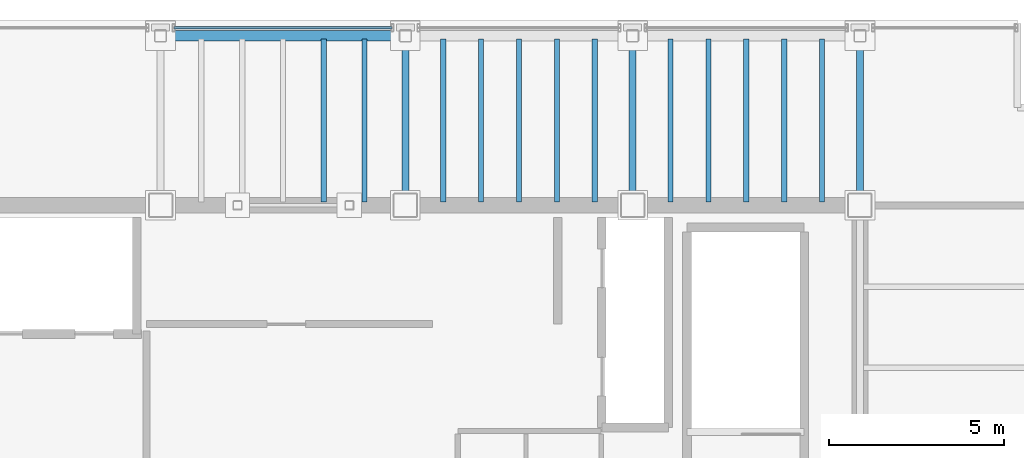
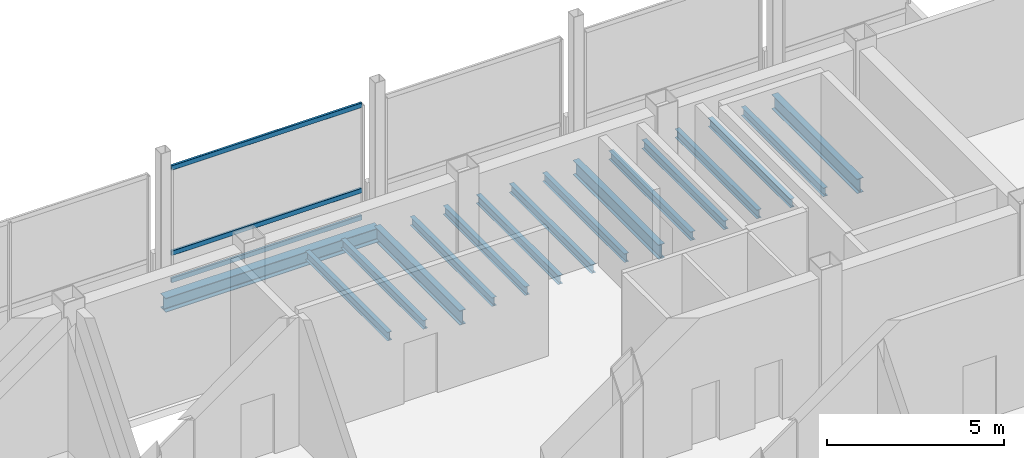
# One storey, part 13 of 20: 16 beams, 3 members, 1 element without a shape of its own.
"""IFC4 building model written with IfcOpenShell, lengths in metres."""

from ifc_helpers import new_model, si_unit, direction, frame, origin, origin_2d, place, context, subcontext, project, spatial, hollow_rectangle, i_section, extrude, material, material_profile, profile_set, type_object, element, aggregate, save


model = new_model("IFC4")

# Units and contexts
model_context = context("Model", 3, precision=1e-05, world=origin(), true_north=direction((0.0, 1.0)))
body_context = subcontext(model_context, "Body", "Model", "MODEL_VIEW")
ifc_project = project(units=[si_unit("LENGTHUNIT", "METRE"), si_unit("AREAUNIT", "SQUARE_METRE"), si_unit("VOLUMEUNIT", "CUBIC_METRE"), si_unit("PLANEANGLEUNIT", "RADIAN"), si_unit("MASSUNIT", "GRAM", prefix="KILO")], contexts=[model_context])

# Site, building, storey
site_placement = place(None, origin())
site = spatial("IfcSite", under=ifc_project, at=site_placement, CompositionType="ELEMENT")
building_placement = place(site_placement, origin())
building = spatial("IfcBuilding", under=site, at=building_placement, Name="Noeulbin Bourse Tower", CompositionType="ELEMENT")
storey_placement = place(building_placement, frame((0.0, 0.0, 312.60009765625)))
storey = spatial("IfcBuildingStorey", under=building, at=storey_placement, Name="L77", CompositionType="ELEMENT", Elevation=312.60009765625)

# Beams
ifc_material_1 = material(Name="Steel S355", Category="steel")
ifc_material_profile_1 = material_profile(ifc_material_1, i_section(OverallWidth=0.199951171875, OverallDepth=0.5, WebThickness=0.010009765625, FlangeThickness=0.01611328125, FilletRadius=0.02001953125, at=origin_2d()), Name="H-500x200x10x16", Category="LoadBearing")
ifc_profile_set_1 = profile_set([ifc_material_profile_1], Name="Steel S355")
beam_type_1 = type_object("IfcBeamType", Name="BM-GRD-500", PredefinedType="USERDEFINED", material=ifc_profile_set_1)
for number, where, z_axis, x_axis, name in (
    (1, (31.0, 38.300048828125, -0.510009765625), (0.0, 1.0, 0.0), (-1.0, 0.0, 0.0), "Tower Primary Girder NS L77-3.3"),
    (2, (37.5, 38.300048828125, -0.510009765625), (0.0, 1.0, 0.0), (-1.0, 0.0, 0.0), "Tower Primary Girder NS L77-4.3"),
    (3, (44.0, 38.300048828125, -0.510009765625), (0.0, 1.0, 0.0), (-1.0, 0.0, 0.0), "Tower Primary Girder NS L77-5.3"),
):
    element("IfcBeam", number, at=place(storey_placement, frame(where, z_axis=z_axis, x_axis=x_axis)), inside=storey, type_object=beam_type_1, Name=name, ObjectType="GIRDER", PredefinedType="USERDEFINED", context=body_context, shape_type="SweptSolid", body=[
        extrude(i_section(OverallWidth=0.199951171875, OverallDepth=0.5, WebThickness=0.010009765625, FlangeThickness=0.01611328125, FilletRadius=0.02001953125, at=origin_2d()), origin(), (0.0, 0.0, 1.0), 4.849853515625),
    ])
ifc_material_profile_2 = material_profile(ifc_material_1, i_section(OverallWidth=0.14990234375, OverallDepth=0.300048828125, WebThickness=0.006591796875, FlangeThickness=0.009033203125, FilletRadius=0.012939453125, at=origin_2d()), Name="H-300x150x6.5x9", Category="LoadBearing")
ifc_profile_set_2 = profile_set([ifc_material_profile_2], Name="Steel S355")
beam_type_2 = type_object("IfcBeamType", Name="BM-JST-300", PredefinedType="JOIST", material=ifc_profile_set_2)
for number, where, z_axis, x_axis, name in (
    (4, (28.666748046875, 38.39990234375, -0.41015625), (0.0, 1.0, 0.0), (-1.0, 0.0, 0.0), "Tower Composite Joist L77-08"),
    (5, (29.833251953125, 38.39990234375, -0.41015625), (0.0, 1.0, 0.0), (-1.0, 0.0, 0.0), "Tower Composite Joist L77-10"),
    (6, (32.083251953125, 38.39990234375, -0.41015625), (0.0, 1.0, 0.0), (-1.0, 0.0, 0.0), "Tower Composite Joist L77-12"),
    (7, (33.166748046875, 38.39990234375, -0.41015625), (0.0, 1.0, 0.0), (-1.0, 0.0, 0.0), "Tower Composite Joist L77-14"),
    (8, (34.25, 38.39990234375, -0.41015625), (0.0, 1.0, 0.0), (-1.0, 0.0, 0.0), "Tower Composite Joist L77-16"),
    (9, (35.333251953125, 38.39990234375, -0.41015625), (0.0, 1.0, 0.0), (-1.0, 0.0, 0.0), "Tower Composite Joist L77-18"),
    (10, (36.416748046875, 38.39990234375, -0.41015625), (0.0, 1.0, 0.0), (-1.0, 0.0, 0.0), "Tower Composite Joist L77-20"),
    (11, (38.583251953125, 38.39990234375, -0.41015625), (0.0, 1.0, 0.0), (-1.0, 0.0, 0.0), "Tower Composite Joist L77-22"),
    (12, (39.666748046875, 38.39990234375, -0.41015625), (0.0, 1.0, 0.0), (-1.0, 0.0, 0.0), "Tower Composite Joist L77-24"),
    (13, (40.75, 38.39990234375, -0.41015625), (0.0, 1.0, 0.0), (-1.0, 0.0, 0.0), "Tower Composite Joist L77-26"),
    (14, (41.833251953125, 38.39990234375, -0.41015625), (0.0, 1.0, 0.0), (-1.0, 0.0, 0.0), "Tower Composite Joist L77-28"),
    (15, (42.916748046875, 38.39990234375, -0.41015625), (0.0, 1.0, 0.0), (-1.0, 0.0, 0.0), "Tower Composite Joist L77-30"),
):
    element("IfcBeam", number, at=place(storey_placement, frame(where, z_axis=z_axis, x_axis=x_axis)), inside=storey, type_object=beam_type_2, Name=name, PredefinedType="JOIST", context=body_context, shape_type="SweptSolid", body=[
        extrude(i_section(OverallWidth=0.14990234375, OverallDepth=0.300048828125, WebThickness=0.006591796875, FlangeThickness=0.009033203125, FilletRadius=0.012939453125, at=origin_2d()), origin(), (0.0, 0.0, 1.0), 4.650146484375),
    ])
ifc_material_profile_3 = material_profile(ifc_material_1, i_section(OverallWidth=0.300048828125, OverallDepth=0.488037109375, WebThickness=0.010986328125, FlangeThickness=0.01806640625, FilletRadius=0.02197265625, at=origin_2d()), Name="H-488x300x11x18", Category="LoadBearing")
ifc_profile_set_3 = profile_set([ifc_material_profile_3], Name="Steel S355")
beam_type_3 = type_object("IfcBeamType", Name="BM-SPN-488", PredefinedType="SPANDREL", material=ifc_profile_set_3)
beam_placement = place(storey_placement, frame((24.0, 43.14990234375, -0.504150390625), z_axis=(1.0, 0.0, 0.0), x_axis=(0.0, 1.0, 0.0)))
element("IfcBeam", 16, at=beam_placement, inside=storey, type_object=beam_type_3, Name="North Spandrel L77-1", PredefinedType="SPANDREL", context=body_context, shape_type="SweptSolid", body=[
    extrude(i_section(OverallWidth=0.300048828125, OverallDepth=0.488037109375, WebThickness=0.010986328125, FlangeThickness=0.01806640625, FilletRadius=0.02197265625, at=origin_2d()), origin(), (0.0, 0.0, 1.0), 7.0),
])

# Curtain wall, members
ifc_material_2 = material(Name="High-Selectivity Low-Iron Glazing", Category="glass")
curtain_wall_type = type_object("IfcCurtainWallType", Name="CW-SYS-4", PredefinedType="NOTDEFINED", material=ifc_material_2)
curtain_wall_placement = place(storey_placement, origin())
curtain_wall = element("IfcCurtainWall", 17, at=curtain_wall_placement, inside=storey, type_object=curtain_wall_type, Name="Unitised Curtain Wall CW-L77-N-S2", PredefinedType="NOTDEFINED")
ifc_material_3 = material(Name="Anodised Aluminium 6063-T6", Category="aluminium")
ifc_material_profile_4 = material_profile(ifc_material_3, hollow_rectangle(XDim=0.074951171875, YDim=0.159912109375, WallThickness=0.0048828125, InnerFilletRadius=0.00244140625, OuterFilletRadius=0.0048828125, at=origin_2d()), Name="ALU-TRAN-75x160x5", Category="LoadBearing")
ifc_profile_set_4 = profile_set([ifc_material_profile_4], Name="Anodised Aluminium 6063-T6")
member_type = type_object("IfcMemberType", Name="CW-SYS-4-TRN", PredefinedType="USERDEFINED", material=ifc_profile_set_4)
member_1_placement = place(storey_placement, frame((24.385009765625, 43.3798828125, 0.010009765625), z_axis=(1.0, 0.0, 0.0), x_axis=(0.0, 1.0, 0.0)))
member_1 = element("IfcMember", 18, at=member_1_placement, type_object=member_type, Name="Curtain Wall Transom CW-L77-N-S2-T00", ObjectType="TRANSOM", PredefinedType="USERDEFINED", context=body_context, shape_type="SweptSolid", body=[
    extrude(hollow_rectangle(XDim=0.074951171875, YDim=0.159912109375, WallThickness=0.0048828125, InnerFilletRadius=0.00244140625, OuterFilletRadius=0.0048828125, at=origin_2d()), origin(), (0.0, 0.0, 1.0), 6.22998046875),
])
member_2_placement = place(storey_placement, frame((24.385009765625, 43.3798828125, 0.949951171875), z_axis=(1.0, 0.0, 0.0), x_axis=(0.0, 1.0, 0.0)))
member_2 = element("IfcMember", 19, at=member_2_placement, type_object=member_type, Name="Curtain Wall Transom CW-L77-N-S2-T01", ObjectType="TRANSOM", PredefinedType="USERDEFINED", context=body_context, shape_type="SweptSolid", body=[
    extrude(hollow_rectangle(XDim=0.074951171875, YDim=0.159912109375, WallThickness=0.0048828125, InnerFilletRadius=0.00244140625, OuterFilletRadius=0.0048828125, at=origin_2d()), origin(), (0.0, 0.0, 1.0), 6.22998046875),
])
member_3_placement = place(storey_placement, frame((24.385009765625, 43.3798828125, 3.89990234375), z_axis=(1.0, 0.0, 0.0), x_axis=(0.0, 1.0, 0.0)))
member_3 = element("IfcMember", 20, at=member_3_placement, type_object=member_type, Name="Curtain Wall Transom CW-L77-N-S2-T02", ObjectType="TRANSOM", PredefinedType="USERDEFINED", context=body_context, shape_type="SweptSolid", body=[
    extrude(hollow_rectangle(XDim=0.074951171875, YDim=0.159912109375, WallThickness=0.0048828125, InnerFilletRadius=0.00244140625, OuterFilletRadius=0.0048828125, at=origin_2d()), origin(), (0.0, 0.0, 1.0), 6.22998046875),
])
aggregate(curtain_wall, [member_1, member_2, member_3])

save(model, "model.ifc")
